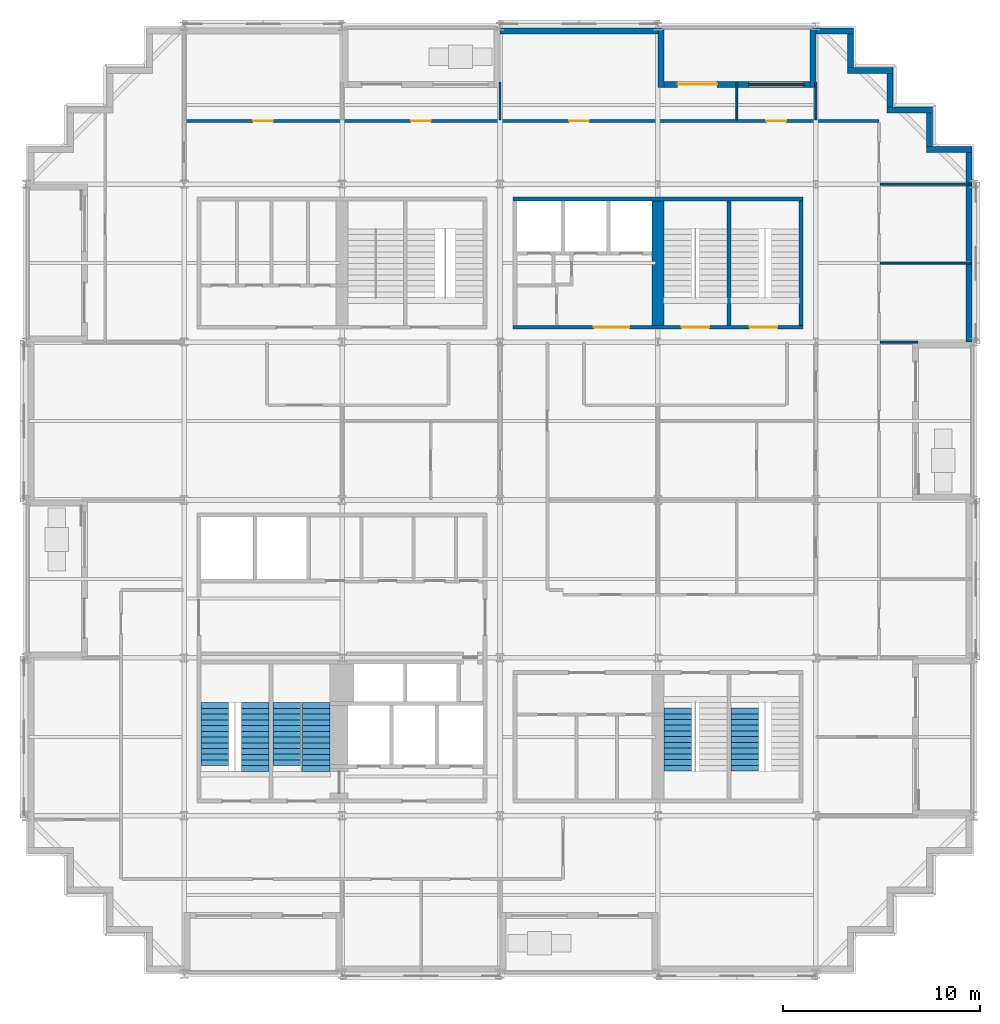
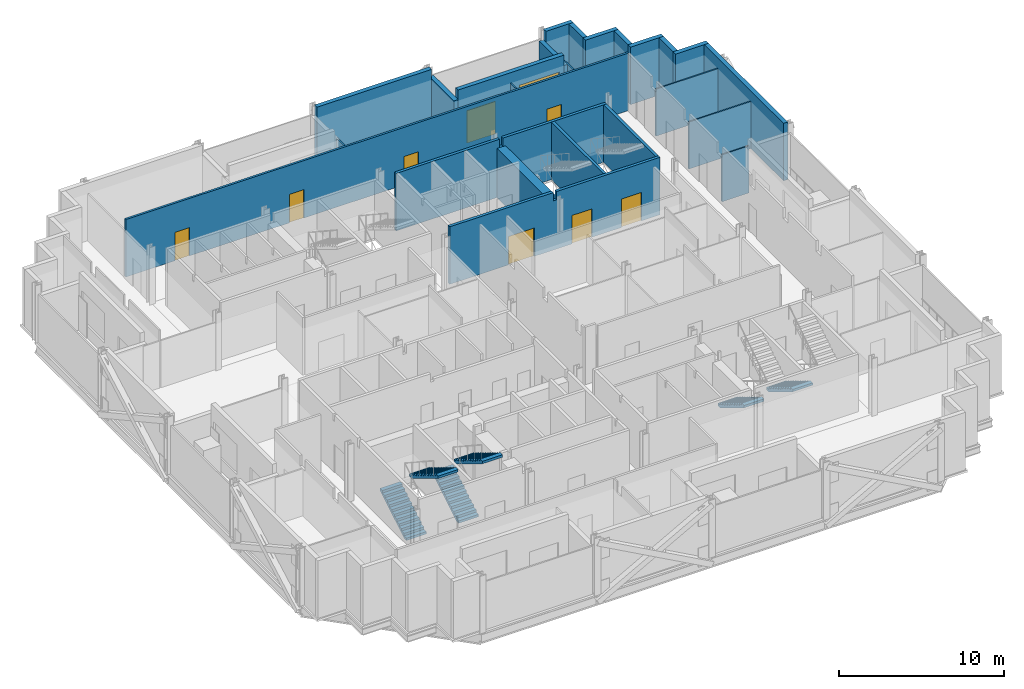
# One storey, part 11 of 15: 24 walls, 8 doors, 6 stair flights, 1 window, 9 openings, 4 elements without a shape of their own.
"""IFC4 building model written with IfcOpenShell, lengths in metres."""

from ifc_helpers import new_model, si_unit, direction, frame, frame_2d, origin, place, context, subcontext, project, spatial, polyline, rectangle, outline, extrude, material, layer, layer_set, type_object, element, fill, aggregate, save


model = new_model("IFC4")

# Units and contexts
model_context = context("Model", 3, precision=1e-05, world=origin(), true_north=direction((0.0, 1.0)))
body_context = subcontext(model_context, "Body", "Model", "MODEL_VIEW")
ifc_project = project(units=[si_unit("LENGTHUNIT", "METRE"), si_unit("AREAUNIT", "SQUARE_METRE"), si_unit("VOLUMEUNIT", "CUBIC_METRE"), si_unit("PLANEANGLEUNIT", "RADIAN"), si_unit("MASSUNIT", "GRAM", prefix="KILO")], contexts=[model_context])

# Site, building, storey
site_placement = place(None, origin())
site = spatial("IfcSite", under=ifc_project, at=site_placement, CompositionType="ELEMENT")
building_placement = place(site_placement, origin())
building = spatial("IfcBuilding", under=site, at=building_placement, Name="Immortelle Media Tower", CompositionType="ELEMENT")
storey_placement = place(building_placement, frame((0.0, 0.0, 92.0)))
storey = spatial("IfcBuildingStorey", under=building, at=storey_placement, Name="L17", CompositionType="ELEMENT", Elevation=92.0)

# Wall, openings, doors
ifc_material_1 = material(Name="Fire-rated gypsum board", Category="gypsum")
ifc_layer_1 = layer(ifc_material_1, 0.012451171875)
ifc_material_2 = material(Name="Steel ASTM A653 SS Gr 50 stud frame with mineral wool", Category="steel")
ifc_layer_2 = layer(ifc_material_2, 0.125)
ifc_layer_3 = layer(ifc_material_1, 0.012451171875)
ifc_layer_set_1 = layer_set([ifc_layer_1, ifc_layer_2, ifc_layer_3], Name="Steel ASTM A653 SS Gr 50 stud frame with mineral wool")
wall_type_1 = type_object("IfcWallType", Name="Corridor wall 150", PredefinedType="PARTITIONING", material=ifc_layer_set_1)
wall_1_placement = place(storey_placement, frame((8.050048828125, 43.199951171875, 0.0), z_axis=(0.0, 0.0, 1.0), x_axis=(1.0, 0.0, 0.0)))
wall_1 = element("IfcWall", 1, at=wall_1_placement, inside=storey, type_object=wall_type_1, Name="Partition L17-051", PredefinedType="PARTITIONING", context=body_context, shape_type="SweptSolid", body=[
    extrude(rectangle(XDim=35.14990234375, YDim=0.14990234375, at=frame_2d((17.574951171875, 0.0))), origin(), (0.0, 0.0, 1.0), 4.25),
])
opening_1_placement = place(wall_1_placement, frame((3.449951171875, 0.0, 0.0)))
opening_1 = element("IfcOpeningElement", 2, at=opening_1_placement, cuts=wall_1, Name="Opening N5-F027", PredefinedType="OPENING", context=body_context, shape_type="SweptSolid", body=[
    extrude(rectangle(XDim=1.0, YDim=2.10009765625, at=frame_2d((0.5, 1.050048828125))), frame((0.0, 0.0849609375, 0.0), z_axis=(0.0, -1.0, 0.0), x_axis=(1.0, 0.0, 0.0)), (0.0, 0.0, 1.0), 0.169921875),
])
opening_2_placement = place(wall_1_placement, frame((11.449951171875, 0.0, 0.0)))
opening_2 = element("IfcOpeningElement", 3, at=opening_2_placement, cuts=wall_1, Name="Opening N5-F028", PredefinedType="OPENING", context=body_context, shape_type="SweptSolid", body=[
    extrude(rectangle(XDim=1.0, YDim=2.10009765625, at=frame_2d((0.5, 1.050048828125))), frame((0.0, 0.0849609375, 0.0), z_axis=(0.0, -1.0, 0.0), x_axis=(1.0, 0.0, 0.0)), (0.0, 0.0, 1.0), 0.169921875),
])
opening_3_placement = place(wall_1_placement, frame((19.449951171875, 0.0, 0.0)))
opening_3 = element("IfcOpeningElement", 4, at=opening_3_placement, cuts=wall_1, Name="Opening N5-F029", PredefinedType="OPENING", context=body_context, shape_type="SweptSolid", body=[
    extrude(rectangle(XDim=1.0, YDim=2.10009765625, at=frame_2d((0.5, 1.050048828125))), frame((0.0, 0.0849609375, 0.0), z_axis=(0.0, -1.0, 0.0), x_axis=(1.0, 0.0, 0.0)), (0.0, 0.0, 1.0), 0.169921875),
])
opening_4_placement = place(wall_1_placement, frame((29.449951171875, 0.0, 0.0)))
opening_4 = element("IfcOpeningElement", 5, at=opening_4_placement, cuts=wall_1, Name="Opening N5-F030", PredefinedType="OPENING", context=body_context, shape_type="SweptSolid", body=[
    extrude(rectangle(XDim=1.0, YDim=2.10009765625, at=frame_2d((0.5, 1.050048828125))), frame((0.0, 0.0849609375, 0.0), z_axis=(0.0, -1.0, 0.0), x_axis=(1.0, 0.0, 0.0)), (0.0, 0.0, 1.0), 0.169921875),
])
ifc_material_3 = material(Name="Timber veneered door leaf, galvanised steel frame ASTM A653", Category="steel")
door_type_1 = type_object("IfcDoorType", Name="Room door 1000 x 2100", OperationType="NOTDEFINED", PredefinedType="DOOR", material=ifc_material_3)
door_1_placement = place(opening_1_placement, origin())
door_1 = element("IfcDoor", 6, at=door_1_placement, inside=storey, type_object=door_type_1, Name="Door N5-F027", OperationType="SINGLE_SWING_RIGHT", OverallHeight=2.10009765625, OverallWidth=1.0, PredefinedType="DOOR", context=body_context, shape_type="SweptSolid", body=[
    extrude(rectangle(XDim=1.0, YDim=2.10009765625, at=frame_2d((0.5, 1.050048828125))), frame((0.0, 0.02490234375, 0.0), z_axis=(0.0, -1.0, 0.0), x_axis=(1.0, 0.0, 0.0)), (0.0, 0.0, 1.0), 0.050048828125),
])
fill(opening_1, door_1)
door_2_placement = place(opening_2_placement, origin())
door_2 = element("IfcDoor", 7, at=door_2_placement, inside=storey, type_object=door_type_1, Name="Door N5-F028", OperationType="SINGLE_SWING_LEFT", OverallHeight=2.10009765625, OverallWidth=1.0, PredefinedType="DOOR", context=body_context, shape_type="SweptSolid", body=[
    extrude(rectangle(XDim=1.0, YDim=2.10009765625, at=frame_2d((0.5, 1.050048828125))), frame((0.0, 0.02490234375, 0.0), z_axis=(0.0, -1.0, 0.0), x_axis=(1.0, 0.0, 0.0)), (0.0, 0.0, 1.0), 0.050048828125),
])
fill(opening_2, door_2)
door_3_placement = place(opening_3_placement, origin())
door_3 = element("IfcDoor", 8, at=door_3_placement, inside=storey, type_object=door_type_1, Name="Door N5-F029", OperationType="SINGLE_SWING_LEFT", OverallHeight=2.10009765625, OverallWidth=1.0, PredefinedType="DOOR", context=body_context, shape_type="SweptSolid", body=[
    extrude(rectangle(XDim=1.0, YDim=2.10009765625, at=frame_2d((0.5, 1.050048828125))), frame((0.0, 0.02490234375, 0.0), z_axis=(0.0, -1.0, 0.0), x_axis=(1.0, 0.0, 0.0)), (0.0, 0.0, 1.0), 0.050048828125),
])
fill(opening_3, door_3)
door_4_placement = place(opening_4_placement, origin())
door_4 = element("IfcDoor", 9, at=door_4_placement, inside=storey, type_object=door_type_1, Name="Door N5-F030", OperationType="SINGLE_SWING_LEFT", OverallHeight=2.10009765625, OverallWidth=1.0, PredefinedType="DOOR", context=body_context, shape_type="SweptSolid", body=[
    extrude(rectangle(XDim=1.0, YDim=2.10009765625, at=frame_2d((0.5, 1.050048828125))), frame((0.0, 0.02490234375, 0.0), z_axis=(0.0, -1.0, 0.0), x_axis=(1.0, 0.0, 0.0)), (0.0, 0.0, 1.0), 0.050048828125),
])
fill(opening_4, door_4)

# Walls
ifc_material_4 = material(Name="Pale aluminium cladding panel", Category="aluminium")
ifc_layer_4 = layer(ifc_material_4, 0.030029296875)
ifc_layer_5 = layer(ifc_material_2, 0.257568359375)
ifc_material_5 = material(Name="Moisture-resistant gypsum board", Category="gypsum")
ifc_layer_6 = layer(ifc_material_5, 0.012451171875)
ifc_layer_set_2 = layer_set([ifc_layer_4, ifc_layer_5, ifc_layer_6], Name="Steel ASTM A653 SS Gr 50 stud frame with mineral wool")
wall_type_2 = type_object("IfcWallType", Name="Facade wall 300", PredefinedType="SOLIDWALL", material=ifc_layer_set_2)
wall_2_placement = place(storey_placement, frame((47.75, 32.0, 0.0), z_axis=(0.0, 0.0, 1.0), x_axis=(0.0, 1.0, 0.0)))
element("IfcWall", 10, at=wall_2_placement, inside=storey, type_object=wall_type_2, Name="Facade wall L17 E14", PredefinedType="SOLIDWALL", context=body_context, shape_type="SweptSolid", body=[
    extrude(rectangle(XDim=9.60009765625, YDim=0.300048828125, at=frame_2d((4.800048828125, 0.0))), origin(), (0.0, 0.0, 1.0), 4.25),
])
wall_3_placement = place(storey_placement, frame((47.89990234375, 41.75, 0.0), z_axis=(0.0, 0.0, 1.0), x_axis=(-1.0, 0.0, 0.0)))
element("IfcWall", 11, at=wall_3_placement, inside=storey, type_object=wall_type_2, Name="Facade wall L17 N15", PredefinedType="SOLIDWALL", context=body_context, shape_type="SweptSolid", body=[
    extrude(rectangle(XDim=2.2998046875, YDim=0.300048828125, at=frame_2d((1.14990234375, 0.0))), origin(), (0.0, 0.0, 1.0), 4.25),
])
wall_4_placement = place(storey_placement, frame((45.75, 41.89990234375, 0.0), z_axis=(0.0, 0.0, 1.0), x_axis=(0.0, 1.0, 0.0)))
element("IfcWall", 12, at=wall_4_placement, inside=storey, type_object=wall_type_2, Name="Facade wall L17 E16", PredefinedType="SOLIDWALL", context=body_context, shape_type="SweptSolid", body=[
    extrude(rectangle(XDim=1.7001953125, YDim=0.300048828125, at=frame_2d((0.85009765625, 0.0))), origin(), (0.0, 0.0, 1.0), 4.25),
])
wall_5_placement = place(storey_placement, frame((45.89990234375, 43.75, 0.0), z_axis=(0.0, 0.0, 1.0), x_axis=(-1.0, 0.0, 0.0)))
element("IfcWall", 13, at=wall_5_placement, inside=storey, type_object=wall_type_2, Name="Facade wall L17 N17", PredefinedType="SOLIDWALL", context=body_context, shape_type="SweptSolid", body=[
    extrude(rectangle(XDim=2.2998046875, YDim=0.300048828125, at=frame_2d((1.14990234375, 0.0))), origin(), (0.0, 0.0, 1.0), 4.25),
])
wall_6_placement = place(storey_placement, frame((43.75, 43.89990234375, 0.0), z_axis=(0.0, 0.0, 1.0), x_axis=(0.0, 1.0, 0.0)))
element("IfcWall", 14, at=wall_6_placement, inside=storey, type_object=wall_type_2, Name="Facade wall L17 E18", PredefinedType="SOLIDWALL", context=body_context, shape_type="SweptSolid", body=[
    extrude(rectangle(XDim=1.7001953125, YDim=0.300048828125, at=frame_2d((0.85009765625, 0.0))), origin(), (0.0, 0.0, 1.0), 4.25),
])
wall_7_placement = place(storey_placement, frame((43.89990234375, 45.75, 0.0), z_axis=(0.0, 0.0, 1.0), x_axis=(-1.0, 0.0, 0.0)))
element("IfcWall", 15, at=wall_7_placement, inside=storey, type_object=wall_type_2, Name="Facade wall L17 N19", PredefinedType="SOLIDWALL", context=body_context, shape_type="SweptSolid", body=[
    extrude(rectangle(XDim=2.2998046875, YDim=0.300048828125, at=frame_2d((1.14990234375, 0.0))), origin(), (0.0, 0.0, 1.0), 4.25),
])
wall_8_placement = place(storey_placement, frame((41.75, 45.89990234375, 0.0), z_axis=(0.0, 0.0, 1.0), x_axis=(0.0, 1.0, 0.0)))
element("IfcWall", 16, at=wall_8_placement, inside=storey, type_object=wall_type_2, Name="Facade wall L17 E20", PredefinedType="SOLIDWALL", context=body_context, shape_type="SweptSolid", body=[
    extrude(rectangle(XDim=1.7001953125, YDim=0.300048828125, at=frame_2d((0.85009765625, 0.0))), origin(), (0.0, 0.0, 1.0), 4.25),
])
wall_9_placement = place(storey_placement, frame((41.89990234375, 47.75, 0.0), z_axis=(0.0, 0.0, 1.0), x_axis=(-1.0, 0.0, 0.0)))
element("IfcWall", 17, at=wall_9_placement, inside=storey, type_object=wall_type_2, Name="Facade wall L17 N21", PredefinedType="SOLIDWALL", context=body_context, shape_type="SweptSolid", body=[
    extrude(rectangle(XDim=1.89990234375, YDim=0.300048828125, at=frame_2d((0.949951171875, 0.0))), origin(), (0.0, 0.0, 1.0), 4.25),
])

# Wall, openings, door, window
wall_10_placement = place(storey_placement, frame((39.699951171875, 45.050048828125, 0.0), z_axis=(0.0, 0.0, 1.0), x_axis=(-1.0, 0.0, 0.0)))
wall_10 = element("IfcWall", 18, at=wall_10_placement, inside=storey, type_object=wall_type_2, Name="Loggia wall L17 N21", PredefinedType="SOLIDWALL", context=body_context, shape_type="SweptSolid", body=[
    extrude(rectangle(XDim=7.39990234375, YDim=0.300048828125, at=frame_2d((3.699951171875, 0.0))), origin(), (0.0, 0.0, 1.0), 4.25),
])
opening_5_placement = place(wall_10_placement, frame((0.300048828125, 0.0, 0.89990234375)))
opening_5 = element("IfcOpeningElement", 19, at=opening_5_placement, cuts=wall_10, Name="Opening W1", PredefinedType="OPENING", context=body_context, shape_type="SweptSolid", body=[
    extrude(rectangle(XDim=2.800048828125, YDim=2.199951171875, at=frame_2d((1.39990234375, 1.10009765625))), frame((0.0, 0.159912109375, 0.0), z_axis=(0.0, -1.0, 0.0), x_axis=(1.0, 0.0, 0.0)), (0.0, 0.0, 1.0), 0.320068359375),
])
opening_6_placement = place(wall_10_placement, frame((4.699951171875, 0.0, 0.0)))
opening_6 = element("IfcOpeningElement", 20, at=opening_6_placement, cuts=wall_10, Name="Opening N5-E007", PredefinedType="OPENING", context=body_context, shape_type="SweptSolid", body=[
    extrude(rectangle(XDim=2.0, YDim=2.39990234375, at=frame_2d((1.0, 1.199951171875))), frame((0.0, 0.159912109375, 0.0), z_axis=(0.0, -1.0, 0.0), x_axis=(1.0, 0.0, 0.0)), (0.0, 0.0, 1.0), 0.320068359375),
])
ifc_material_6 = material(Name="Aluminium frame, glazed leaves", Category="aluminium")
door_type_2 = type_object("IfcDoorType", Name="Loggia door 2000 x 2400", OperationType="DOUBLE_DOOR_SINGLE_SWING", PredefinedType="DOOR", material=ifc_material_6)
door_5_placement = place(opening_6_placement, origin())
door_5 = element("IfcDoor", 21, at=door_5_placement, inside=storey, type_object=door_type_2, Name="Door N5-E007", OperationType="DOUBLE_DOOR_SINGLE_SWING", OverallHeight=2.39990234375, OverallWidth=2.0, PredefinedType="DOOR", context=body_context, shape_type="SweptSolid", body=[
    extrude(rectangle(XDim=2.0, YDim=2.39990234375, at=frame_2d((1.0, 1.199951171875))), frame((0.0, 0.02490234375, 0.0), z_axis=(0.0, -1.0, 0.0), x_axis=(1.0, 0.0, 0.0)), (0.0, 0.0, 1.0), 0.050048828125),
])
fill(opening_6, door_5)
ifc_material_7 = material(Name="Aluminium frame", Category="aluminium")
window_type = type_object("IfcWindowType", Name="Window 2800 x 2200", PartitioningType="SINGLE_PANEL", PredefinedType="WINDOW", material=ifc_material_7)
window_placement = place(opening_5_placement, origin())
window = element("IfcWindow", 22, at=window_placement, inside=storey, type_object=window_type, Name="Window L17 L17-R21-B0", OverallHeight=2.199951171875, OverallWidth=2.800048828125, PartitioningType="SINGLE_PANEL", PredefinedType="WINDOW", context=body_context, shape_type="SweptSolid", body=[
    extrude(rectangle(XDim=2.800048828125, YDim=2.199951171875, at=frame_2d((1.39990234375, 1.10009765625))), frame((0.0, 0.030029296875, 0.0), z_axis=(0.0, -1.0, 0.0), x_axis=(1.0, 0.0, 0.0)), (0.0, 0.0, 1.0), 0.06005859375),
])
fill(opening_5, window)

# Walls
wall_11_placement = place(storey_placement, frame((39.85009765625, 47.89990234375, 0.0), z_axis=(0.0, 0.0, 1.0), x_axis=(0.0, -1.0, 0.0)))
element("IfcWall", 23, at=wall_11_placement, inside=storey, type_object=wall_type_2, Name="Loggia cheek wall L17 N", PredefinedType="SOLIDWALL", context=body_context, shape_type="SweptSolid", body=[
    extrude(rectangle(XDim=3.0, YDim=0.300048828125, at=frame_2d((1.5, 0.0))), origin(), (0.0, 0.0, 1.0), 3.468994140625),
])
wall_12_placement = place(storey_placement, frame((32.14990234375, 47.89990234375, 0.0), z_axis=(0.0, 0.0, 1.0), x_axis=(0.0, -1.0, 0.0)))
element("IfcWall", 24, at=wall_12_placement, inside=storey, type_object=wall_type_2, Name="Loggia cheek wall L17 N", PredefinedType="SOLIDWALL", context=body_context, shape_type="SweptSolid", body=[
    extrude(rectangle(XDim=3.0, YDim=0.300048828125, at=frame_2d((1.5, 0.0))), origin(), (0.0, 0.0, 1.0), 3.555908203125),
])
wall_13_placement = place(storey_placement, frame((32.0, 47.75, 0.0), z_axis=(0.0, 0.0, 1.0), x_axis=(-1.0, 0.0, 0.0)))
element("IfcWall", 25, at=wall_13_placement, inside=storey, type_object=wall_type_2, Name="Facade wall L17 N21", PredefinedType="SOLIDWALL", context=body_context, shape_type="SweptSolid", body=[
    extrude(rectangle(XDim=8.0, YDim=0.300048828125, at=frame_2d((4.0, 0.0))), origin(), (0.0, 0.0, 1.0), 4.25),
])
ifc_material_8 = material(Name="Gypsum board", Category="gypsum")
ifc_layer_7 = layer(ifc_material_8, 0.012451171875)
ifc_layer_8 = layer(ifc_material_2, 0.074951171875)
ifc_layer_9 = layer(ifc_material_8, 0.012451171875)
ifc_layer_set_3 = layer_set([ifc_layer_7, ifc_layer_8, ifc_layer_9], Name="Steel ASTM A653 SS Gr 50 stud frame with mineral wool")
wall_type_3 = type_object("IfcWallType", Name="Partition 100", PredefinedType="PARTITIONING", material=ifc_layer_set_3)
wall_14_placement = place(storey_placement, frame((43.27490234375, 32.0, 0.0), z_axis=(0.0, 0.0, 1.0), x_axis=(1.0, 0.0, 0.0)))
element("IfcWall", 26, at=wall_14_placement, inside=storey, type_object=wall_type_3, Name="Partition L17-047", PredefinedType="PARTITIONING", context=body_context, shape_type="SweptSolid", body=[
    extrude(rectangle(XDim=1.89501953125, YDim=0.10009765625, at=frame_2d((0.947509765625, 0.0))), origin(), (0.0, 0.0, 1.0), 3.469970703125),
])
for number, where, z_axis, x_axis, name in (
    (27, (43.27490234375, 36.0, 0.0), (0.0, 0.0, 1.0), (1.0, 0.0, 0.0), "Partition L17-048"),
    (28, (43.27490234375, 40.0, 0.0), (0.0, 0.0, 1.0), (1.0, 0.0, 0.0), "Partition L17-049"),
):
    element("IfcWall", number, at=place(storey_placement, frame(where, z_axis=z_axis, x_axis=x_axis)), inside=storey, type_object=wall_type_3, Name=name, PredefinedType="PARTITIONING", context=body_context, shape_type="SweptSolid", body=[
        extrude(rectangle(XDim=4.59521484375, YDim=0.10009765625, at=frame_2d((2.297607421875, 0.0))), origin(), (0.0, 0.0, 1.0), 3.469970703125),
    ])
for number, where, z_axis, x_axis, name in (
    (29, (24.0, 43.27490234375, 0.0), (0.0, 0.0, 1.0), (0.0, 1.0, 0.0), "Partition L17-054"),
    (30, (36.0, 43.27490234375, 0.0), (0.0, 0.0, 1.0), (0.0, 1.0, 0.0), "Partition L17-055"),
    (31, (40.0, 43.27490234375, 0.0), (0.0, 0.0, 1.0), (0.0, 1.0, 0.0), "Partition L17-056"),
):
    element("IfcWall", number, at=place(storey_placement, frame(where, z_axis=z_axis, x_axis=x_axis)), inside=storey, type_object=wall_type_3, Name=name, PredefinedType="PARTITIONING", context=body_context, shape_type="SweptSolid", body=[
        extrude(rectangle(XDim=1.89501953125, YDim=0.10009765625, at=frame_2d((0.947509765625, 0.0))), origin(), (0.0, 0.0, 1.0), 3.469970703125),
    ])

# Wall, openings, doors
ifc_material_9 = material(Name="Concrete C60", Category="concrete")
ifc_layer_10 = layer(ifc_material_9, 0.199951171875)
ifc_layer_set_4 = layer_set([ifc_layer_10], Name="Concrete C60")
wall_type_4 = type_object("IfcWallType", Name="Stair shaft wall 200", PredefinedType="PARTITIONING", material=ifc_layer_set_4)
wall_15_placement = place(storey_placement, frame((24.64990234375, 32.75, 0.0), z_axis=(0.0, 0.0, 1.0), x_axis=(1.0, 0.0, 0.0)))
wall_15 = element("IfcWall", 32, at=wall_15_placement, inside=storey, type_object=wall_type_4, Name="Stair shaft wall NE", PredefinedType="PARTITIONING", context=body_context, shape_type="SweptSolid", body=[
    extrude(outline(polyline([(0.0, 0.0), (14.7001953125, 0.0), (14.699951171875, 4.25), (7.469482421875, 4.25), (7.468505859375, 3.632080078125), (7.2314453125, 3.632080078125), (7.23046875, 4.25), (0.0, 4.25), (0.0, 0.0)])), frame((0.0, 0.10009765625, 0.0), z_axis=(0.0, -1.0, 0.0), x_axis=(1.0, 0.0, 0.0)), (0.0, 0.0, 1.0), 0.199951171875),
])
opening_7_placement = place(wall_15_placement, frame((4.10009765625, 0.0, 0.0)))
opening_7 = element("IfcOpeningElement", 33, at=opening_7_placement, cuts=wall_15, Name="Opening N5-K034", PredefinedType="OPENING", context=body_context, shape_type="SweptSolid", body=[
    extrude(rectangle(XDim=1.800048828125, YDim=2.10009765625, at=frame_2d((0.89990234375, 1.050048828125))), frame((0.0, 0.10986328125, 0.0), z_axis=(0.0, -1.0, 0.0), x_axis=(1.0, 0.0, 0.0)), (0.0, 0.0, 1.0), 0.219970703125),
])
opening_8_placement = place(wall_15_placement, frame((8.550048828125, 0.0, 0.0)))
opening_8 = element("IfcOpeningElement", 34, at=opening_8_placement, cuts=wall_15, Name="Opening N5-K038", PredefinedType="OPENING", context=body_context, shape_type="SweptSolid", body=[
    extrude(rectangle(XDim=1.39990234375, YDim=2.10009765625, at=frame_2d((0.699951171875, 1.050048828125))), frame((0.0, 0.10986328125, 0.0), z_axis=(0.0, -1.0, 0.0), x_axis=(1.0, 0.0, 0.0)), (0.0, 0.0, 1.0), 0.219970703125),
])
opening_9_placement = place(wall_15_placement, frame((12.0, 0.0, 0.0)))
opening_9 = element("IfcOpeningElement", 35, at=opening_9_placement, cuts=wall_15, Name="Opening N5-K039", PredefinedType="OPENING", context=body_context, shape_type="SweptSolid", body=[
    extrude(rectangle(XDim=1.39990234375, YDim=2.10009765625, at=frame_2d((0.699951171875, 1.050048828125))), frame((0.0, 0.10986328125, 0.0), z_axis=(0.0, -1.0, 0.0), x_axis=(1.0, 0.0, 0.0)), (0.0, 0.0, 1.0), 0.219970703125),
])
ifc_material_10 = material(Name="Galvanised steel door leaf and frame ASTM A653", Category="steel")
door_type_3 = type_object("IfcDoorType", Name="Lift lobby door 1800 x 2100", OperationType="DOUBLE_DOOR_SINGLE_SWING", PredefinedType="NOTDEFINED", material=ifc_material_10)
door_6_placement = place(opening_7_placement, origin())
door_6 = element("IfcDoor", 36, at=door_6_placement, inside=storey, type_object=door_type_3, Name="Lift lobby N5-K034", OperationType="DOUBLE_DOOR_SINGLE_SWING", OverallHeight=2.10009765625, OverallWidth=1.800048828125, PredefinedType="NOTDEFINED", context=body_context, shape_type="SweptSolid", body=[
    extrude(rectangle(XDim=1.800048828125, YDim=2.10009765625, at=frame_2d((0.89990234375, 1.050048828125))), frame((0.0, 0.02490234375, 0.0), z_axis=(0.0, -1.0, 0.0), x_axis=(1.0, 0.0, 0.0)), (0.0, 0.0, 1.0), 0.050048828125),
])
fill(opening_7, door_6)
door_type_4 = type_object("IfcDoorType", Name="Stair door 1400 x 2100", OperationType="DOUBLE_DOOR_SINGLE_SWING", PredefinedType="NOTDEFINED", material=ifc_material_10)
door_7_placement = place(opening_8_placement, origin())
door_7 = element("IfcDoor", 37, at=door_7_placement, inside=storey, type_object=door_type_4, Name="Stair N5-K038", OperationType="DOUBLE_DOOR_SINGLE_SWING", OverallHeight=2.10009765625, OverallWidth=1.39990234375, PredefinedType="NOTDEFINED", context=body_context, shape_type="SweptSolid", body=[
    extrude(rectangle(XDim=1.39990234375, YDim=2.10009765625, at=frame_2d((0.699951171875, 1.050048828125))), frame((0.0, 0.02490234375, 0.0), z_axis=(0.0, -1.0, 0.0), x_axis=(1.0, 0.0, 0.0)), (0.0, 0.0, 1.0), 0.050048828125),
])
fill(opening_8, door_7)
door_8_placement = place(opening_9_placement, origin())
door_8 = element("IfcDoor", 38, at=door_8_placement, inside=storey, type_object=door_type_4, Name="Stair N5-K039", OperationType="DOUBLE_DOOR_SINGLE_SWING", OverallHeight=2.10009765625, OverallWidth=1.39990234375, PredefinedType="NOTDEFINED", context=body_context, shape_type="SweptSolid", body=[
    extrude(rectangle(XDim=1.39990234375, YDim=2.10009765625, at=frame_2d((0.699951171875, 1.050048828125))), frame((0.0, 0.02490234375, 0.0), z_axis=(0.0, -1.0, 0.0), x_axis=(1.0, 0.0, 0.0)), (0.0, 0.0, 1.0), 0.050048828125),
])
fill(opening_9, door_8)

# Walls
wall_16_placement = place(storey_placement, frame((24.64990234375, 39.25, 0.0), z_axis=(0.0, 0.0, 1.0), x_axis=(1.0, 0.0, 0.0)))
element("IfcWall", 39, at=wall_16_placement, inside=storey, type_object=wall_type_4, Name="Stair shaft wall NE", PredefinedType="PARTITIONING", context=body_context, shape_type="SweptSolid", body=[
    extrude(outline(polyline([(0.0, 0.0), (14.7001953125, 0.0), (14.699951171875, 4.25), (7.469482421875, 4.25), (7.468505859375, 3.632080078125), (7.2314453125, 3.632080078125), (7.23046875, 4.25), (0.0, 4.25), (0.0, 0.0)])), frame((0.0, 0.10009765625, 0.0), z_axis=(0.0, -1.0, 0.0), x_axis=(1.0, 0.0, 0.0)), (0.0, 0.0, 1.0), 0.199951171875),
])
for number, where, z_axis, x_axis, name in (
    (40, (35.60009765625, 32.85009765625, 0.0), (0.0, 0.0, 1.0), (0.0, 1.0, 0.0), "Stair shaft wall NE"),
    (41, (39.25, 32.85009765625, 0.0), (0.0, 0.0, 1.0), (0.0, 1.0, 0.0), "Stair shaft wall NE"),
):
    element("IfcWall", number, at=place(storey_placement, frame(where, z_axis=z_axis, x_axis=x_axis)), inside=storey, type_object=wall_type_4, Name=name, PredefinedType="PARTITIONING", context=body_context, shape_type="SweptSolid", body=[
        extrude(rectangle(XDim=6.2998046875, YDim=0.199951171875, at=frame_2d((3.14990234375, 0.0))), origin(), (0.0, 0.0, 1.0), 4.25),
    ])
ifc_layer_11 = layer(ifc_material_9, 0.60009765625)
ifc_layer_set_5 = layer_set([ifc_layer_11], Name="Concrete C60")
wall_type_5 = type_object("IfcWallType", Name="Stair shaft wall 600", PredefinedType="PARTITIONING", material=ifc_layer_set_5)
wall_17_placement = place(storey_placement, frame((32.0, 32.85009765625, 0.0), z_axis=(0.0, 0.0, 1.0), x_axis=(0.0, 1.0, 0.0)))
element("IfcWall", 42, at=wall_17_placement, inside=storey, type_object=wall_type_5, Name="Stair shaft wall NE", PredefinedType="PARTITIONING", context=body_context, shape_type="SweptSolid", body=[
    extrude(rectangle(XDim=6.2998046875, YDim=0.60009765625, at=frame_2d((3.14990234375, 0.0))), origin(), (0.0, 0.0, 1.0), 3.632080078125),
])

# Stair, stair flights
ifc_material_11 = material(Name="Steel ASTM A992 Gr 50", Category="steel")
stair_type = type_object("IfcStairType", Name="Stair with flights", PredefinedType="DOUBLE_RETURN_STAIR", material=ifc_material_11)
stair_1_placement = place(storey_placement, origin())
stair_1 = element("IfcStair", 43, at=stair_1_placement, inside=storey, type_object=stair_type, Name="Exit stair SW1", PredefinedType="DOUBLE_RETURN_STAIR")
stair_flight_type = type_object("IfcStairFlightType", Name="Stair flight 1400", PredefinedType="STRAIGHT", material=ifc_material_11)
stair_flight_1_placement = place(storey_placement, frame((9.550048828125, 10.5400390625, 0.0), z_axis=(0.0, 0.0, 1.0), x_axis=(0.0, 1.0, 0.0)))
stair_flight_1 = element("IfcStairFlight", 44, at=stair_flight_1_placement, type_object=stair_flight_type, Name="ST SW1 flight 1", NumberOfRisers=12, NumberOfTreads=11, PredefinedType="STRAIGHT", RiserHeight=0.176, TreadLength=0.29, context=body_context, shape_type="SweptSolid", body=[
    extrude(outline(polyline([(0.0, 0.0), (0.0, 0.176025390625), (0.2900390625, 0.176025390625), (0.2900390625, 0.35205078125), (0.580078125, 0.35205078125), (0.580078125, 0.528076171875), (0.8701171875, 0.528076171875), (0.8701171875, 0.7041015625), (1.159912109375, 0.7041015625), (1.159912109375, 0.8798828125), (1.449951171875, 0.8798828125), (1.449951171875, 1.055908203125), (1.739990234375, 1.055908203125), (1.739990234375, 1.23193359375), (2.030029296875, 1.23193359375), (2.030029296875, 1.407958984375), (2.320068359375, 1.407958984375), (2.320068359375, 1.583984375), (2.610107421875, 1.583984375), (2.610107421875, 1.760009765625), (2.89990234375, 1.760009765625), (2.89990234375, 1.93603515625), (3.18994140625, 1.93603515625), (3.18994140625, 2.112060546875), (3.18994140625, 1.7607421875), (0.288818359375, 0.0), (0.0, 0.0)])), frame((0.0, 0.699951171875, 0.0), z_axis=(0.0, -1.0, 0.0), x_axis=(1.0, 0.0, 0.0)), (0.0, 0.0, 1.0), 1.39990234375),
])
stair_flight_2_placement = place(storey_placement, frame((11.60009765625, 13.72998046875, 2.112060546875), z_axis=(0.0, 0.0, 1.0), x_axis=(0.0, -1.0, 0.0)))
stair_flight_2 = element("IfcStairFlight", 45, at=stair_flight_2_placement, type_object=stair_flight_type, Name="ST SW1 flight 2", NumberOfRisers=13, NumberOfTreads=12, PredefinedType="STRAIGHT", RiserHeight=0.176, TreadLength=0.29, context=body_context, shape_type="SweptSolid", body=[
    extrude(outline(polyline([(0.0, 0.0), (0.0, 0.176025390625), (0.2900390625, 0.176025390625), (0.2900390625, 0.35205078125), (0.580078125, 0.35205078125), (0.580078125, 0.528076171875), (0.8701171875, 0.528076171875), (0.8701171875, 0.7041015625), (1.159912109375, 0.7041015625), (1.159912109375, 0.8798828125), (1.449951171875, 0.8798828125), (1.449951171875, 1.055908203125), (1.739990234375, 1.055908203125), (1.739990234375, 1.23193359375), (2.030029296875, 1.23193359375), (2.030029296875, 1.407958984375), (2.320068359375, 1.407958984375), (2.320068359375, 1.583984375), (2.610107421875, 1.583984375), (2.610107421875, 1.760009765625), (2.89990234375, 1.760009765625), (2.89990234375, 1.93603515625), (3.18994140625, 1.93603515625), (3.18994140625, 2.112060546875), (3.47998046875, 2.112060546875), (3.47998046875, 2.2880859375), (3.47998046875, 1.936767578125), (0.288818359375, 0.0), (0.0, 0.0)])), frame((0.0, 0.699951171875, 0.0), z_axis=(0.0, -1.0, 0.0), x_axis=(1.0, 0.0, 0.0)), (0.0, 0.0, 1.0), 1.39990234375),
])
aggregate(stair_1, [stair_flight_1, stair_flight_2])

stair_2_placement = place(storey_placement, origin())
stair_2 = element("IfcStair", 46, at=stair_2_placement, inside=storey, type_object=stair_type, Name="Exit stair SW2", PredefinedType="DOUBLE_RETURN_STAIR")
stair_flight_3_placement = place(storey_placement, frame((13.199951171875, 10.5400390625, 0.0), z_axis=(0.0, 0.0, 1.0), x_axis=(0.0, 1.0, 0.0)))
stair_flight_3 = element("IfcStairFlight", 47, at=stair_flight_3_placement, type_object=stair_flight_type, Name="ST SW2 flight 1", NumberOfRisers=12, NumberOfTreads=11, PredefinedType="STRAIGHT", RiserHeight=0.176, TreadLength=0.29, context=body_context, shape_type="SweptSolid", body=[
    extrude(outline(polyline([(0.0, 0.0), (0.0, 0.176025390625), (0.2900390625, 0.176025390625), (0.2900390625, 0.35205078125), (0.580078125, 0.35205078125), (0.580078125, 0.528076171875), (0.8701171875, 0.528076171875), (0.8701171875, 0.7041015625), (1.159912109375, 0.7041015625), (1.159912109375, 0.8798828125), (1.449951171875, 0.8798828125), (1.449951171875, 1.055908203125), (1.739990234375, 1.055908203125), (1.739990234375, 1.23193359375), (2.030029296875, 1.23193359375), (2.030029296875, 1.407958984375), (2.320068359375, 1.407958984375), (2.320068359375, 1.583984375), (2.610107421875, 1.583984375), (2.610107421875, 1.760009765625), (2.89990234375, 1.760009765625), (2.89990234375, 1.93603515625), (3.18994140625, 1.93603515625), (3.18994140625, 2.112060546875), (3.18994140625, 1.7607421875), (0.288818359375, 0.0), (0.0, 0.0)])), frame((0.0, 0.699951171875, 0.0), z_axis=(0.0, -1.0, 0.0), x_axis=(1.0, 0.0, 0.0)), (0.0, 0.0, 1.0), 1.39990234375),
])
stair_flight_4_placement = place(storey_placement, frame((14.699951171875, 13.72998046875, 2.112060546875), z_axis=(0.0, 0.0, 1.0), x_axis=(0.0, -1.0, 0.0)))
stair_flight_4 = element("IfcStairFlight", 48, at=stair_flight_4_placement, type_object=stair_flight_type, Name="ST SW2 flight 2", NumberOfRisers=13, NumberOfTreads=12, PredefinedType="STRAIGHT", RiserHeight=0.176, TreadLength=0.29, context=body_context, shape_type="SweptSolid", body=[
    extrude(outline(polyline([(0.0, 0.0), (0.0, 0.176025390625), (0.2900390625, 0.176025390625), (0.2900390625, 0.35205078125), (0.580078125, 0.35205078125), (0.580078125, 0.528076171875), (0.8701171875, 0.528076171875), (0.8701171875, 0.7041015625), (1.159912109375, 0.7041015625), (1.159912109375, 0.8798828125), (1.449951171875, 0.8798828125), (1.449951171875, 1.055908203125), (1.739990234375, 1.055908203125), (1.739990234375, 1.23193359375), (2.030029296875, 1.23193359375), (2.030029296875, 1.407958984375), (2.320068359375, 1.407958984375), (2.320068359375, 1.583984375), (2.610107421875, 1.583984375), (2.610107421875, 1.760009765625), (2.89990234375, 1.760009765625), (2.89990234375, 1.93603515625), (3.18994140625, 1.93603515625), (3.18994140625, 2.112060546875), (3.47998046875, 2.112060546875), (3.47998046875, 2.2880859375), (3.47998046875, 1.936767578125), (0.288818359375, 0.0), (0.0, 0.0)])), frame((0.0, 0.699951171875, 0.0), z_axis=(0.0, -1.0, 0.0), x_axis=(1.0, 0.0, 0.0)), (0.0, 0.0, 1.0), 1.39990234375),
])
aggregate(stair_2, [stair_flight_3, stair_flight_4])

# Stair, stair flight
stair_3_placement = place(storey_placement, origin())
stair_3 = element("IfcStair", 49, at=stair_3_placement, inside=storey, type_object=stair_type, Name="Exit stair SE1", PredefinedType="DOUBLE_RETURN_STAIR")
stair_flight_5_placement = place(storey_placement, frame((33.0, 13.4599609375, 0.0), z_axis=(0.0, 0.0, 1.0), x_axis=(0.0, -1.0, 0.0)))
stair_flight_5 = element("IfcStairFlight", 50, at=stair_flight_5_placement, type_object=stair_flight_type, Name="ST SE1 flight 1", NumberOfRisers=12, NumberOfTreads=11, PredefinedType="STRAIGHT", RiserHeight=0.176, TreadLength=0.29, context=body_context, shape_type="SweptSolid", body=[
    extrude(outline(polyline([(0.0, 0.0), (0.0, 0.176025390625), (0.2900390625, 0.176025390625), (0.2900390625, 0.35205078125), (0.580078125, 0.35205078125), (0.580078125, 0.528076171875), (0.8701171875, 0.528076171875), (0.8701171875, 0.7041015625), (1.159912109375, 0.7041015625), (1.159912109375, 0.8798828125), (1.449951171875, 0.8798828125), (1.449951171875, 1.055908203125), (1.739990234375, 1.055908203125), (1.739990234375, 1.23193359375), (2.030029296875, 1.23193359375), (2.030029296875, 1.407958984375), (2.320068359375, 1.407958984375), (2.320068359375, 1.583984375), (2.610107421875, 1.583984375), (2.610107421875, 1.760009765625), (2.89990234375, 1.760009765625), (2.89990234375, 1.93603515625), (3.18994140625, 1.93603515625), (3.18994140625, 2.112060546875), (3.18994140625, 1.7607421875), (0.288818359375, 0.0), (0.0, 0.0)])), frame((0.0, 0.699951171875, 0.0), z_axis=(0.0, -1.0, 0.0), x_axis=(1.0, 0.0, 0.0)), (0.0, 0.0, 1.0), 1.39990234375),
])
aggregate(stair_3, [stair_flight_5])

stair_4_placement = place(storey_placement, origin())
stair_4 = element("IfcStair", 51, at=stair_4_placement, inside=storey, type_object=stair_type, Name="Exit stair SE2", PredefinedType="DOUBLE_RETURN_STAIR")
stair_flight_6_placement = place(storey_placement, frame((36.39990234375, 13.4599609375, 0.0), z_axis=(0.0, 0.0, 1.0), x_axis=(0.0, -1.0, 0.0)))
stair_flight_6 = element("IfcStairFlight", 52, at=stair_flight_6_placement, type_object=stair_flight_type, Name="ST SE2 flight 1", NumberOfRisers=12, NumberOfTreads=11, PredefinedType="STRAIGHT", RiserHeight=0.176, TreadLength=0.29, context=body_context, shape_type="SweptSolid", body=[
    extrude(outline(polyline([(0.0, 0.0), (0.0, 0.176025390625), (0.2900390625, 0.176025390625), (0.2900390625, 0.35205078125), (0.580078125, 0.35205078125), (0.580078125, 0.528076171875), (0.8701171875, 0.528076171875), (0.8701171875, 0.7041015625), (1.159912109375, 0.7041015625), (1.159912109375, 0.8798828125), (1.449951171875, 0.8798828125), (1.449951171875, 1.055908203125), (1.739990234375, 1.055908203125), (1.739990234375, 1.23193359375), (2.030029296875, 1.23193359375), (2.030029296875, 1.407958984375), (2.320068359375, 1.407958984375), (2.320068359375, 1.583984375), (2.610107421875, 1.583984375), (2.610107421875, 1.760009765625), (2.89990234375, 1.760009765625), (2.89990234375, 1.93603515625), (3.18994140625, 1.93603515625), (3.18994140625, 2.112060546875), (3.18994140625, 1.7607421875), (0.288818359375, 0.0), (0.0, 0.0)])), frame((0.0, 0.699951171875, 0.0), z_axis=(0.0, -1.0, 0.0), x_axis=(1.0, 0.0, 0.0)), (0.0, 0.0, 1.0), 1.39990234375),
])
aggregate(stair_4, [stair_flight_6])

save(model, "model.ifc")
